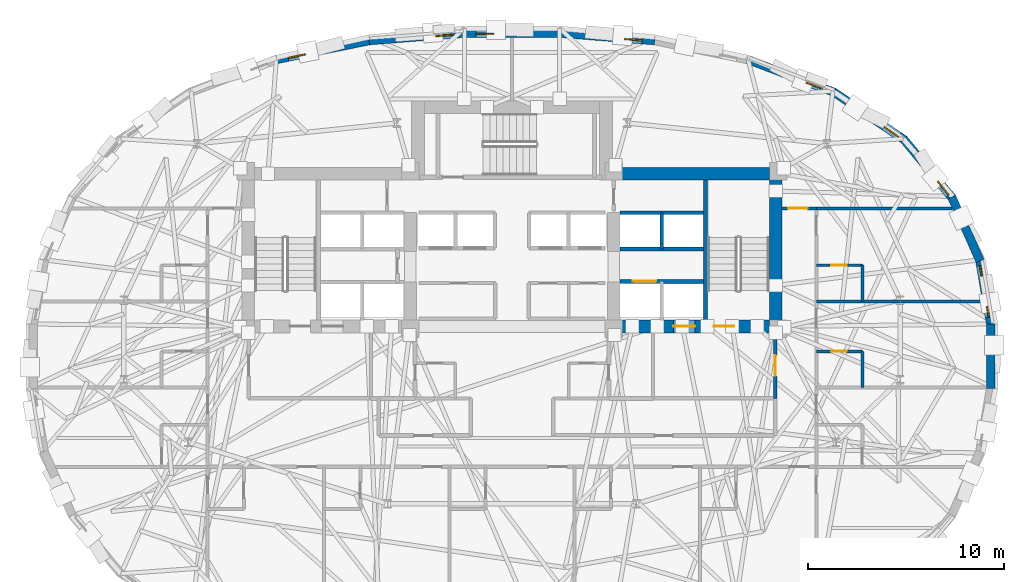
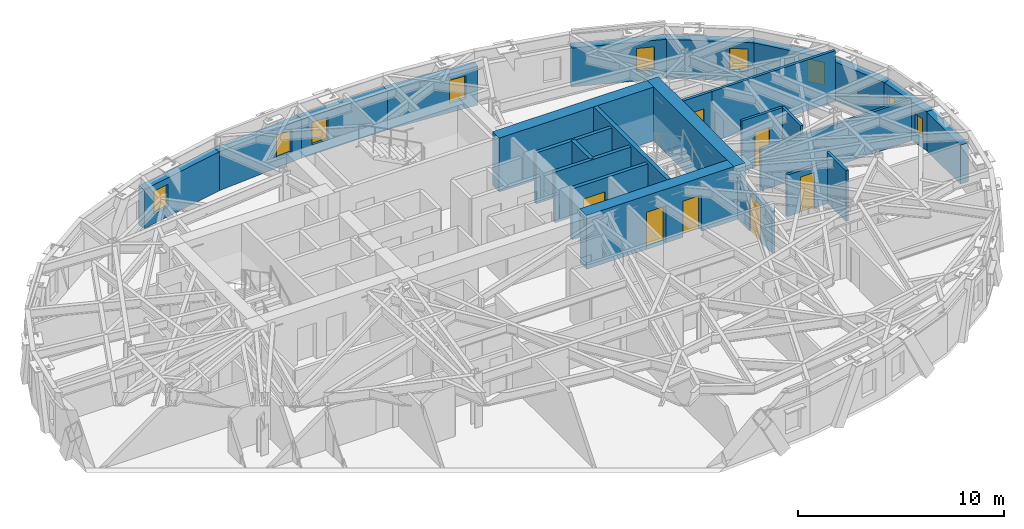
# One storey, part 10 of 15: 26 walls, 9 windows, 7 doors, 16 openings.
"""IFC4 building model written with IfcOpenShell, lengths in metres."""

from ifc_helpers import new_model, si_unit, direction, frame, frame_2d, origin, place, context, subcontext, project, spatial, rectangle, extrude, material, layer, layer_set, type_object, element, fill, save


model = new_model("IFC4")

# Units and contexts
model_context = context("Model", 3, precision=1e-05, world=origin(), true_north=direction((0.0, 1.0)))
body_context = subcontext(model_context, "Body", "Model", "MODEL_VIEW")
ifc_project = project(units=[si_unit("LENGTHUNIT", "METRE"), si_unit("AREAUNIT", "SQUARE_METRE"), si_unit("VOLUMEUNIT", "CUBIC_METRE"), si_unit("PLANEANGLEUNIT", "RADIAN"), si_unit("MASSUNIT", "GRAM", prefix="KILO")], contexts=[model_context])

# Site, building, storey
site_placement = place(None, origin())
site = spatial("IfcSite", under=ifc_project, at=site_placement, CompositionType="ELEMENT")
building_placement = place(site_placement, origin())
building = spatial("IfcBuilding", under=site, at=building_placement, Name="Keldmark Tower", CompositionType="ELEMENT")
storey_placement = place(building_placement, frame((0.0, 0.0, 150.199951171875)))
storey = spatial("IfcBuildingStorey", under=building, at=storey_placement, Name="L40", CompositionType="ELEMENT", Elevation=150.199951171875)

# Wall, opening, door
ifc_material_1 = material(Name="Type X Fire-Rated Gypsum Partition Assembly", Category="gypsum")
ifc_layer_1 = layer(ifc_material_1, 0.1650390625)
ifc_layer_set_1 = layer_set([ifc_layer_1], Name="Type X Fire-Rated Gypsum Partition Assembly")
wall_type_1 = type_object("IfcWallType", Name="Rated Partition 165 mm", PredefinedType="PARTITIONING", material=ifc_layer_set_1)
wall_1_placement = place(storey_placement, frame((13.449951171875, -2.14990234375, 0.0), z_axis=(0.0, 0.0, 1.0), x_axis=(0.0, 1.0, 0.0)))
wall_1 = element("IfcWall", 1, at=wall_1_placement, inside=storey, type_object=wall_type_1, Name="L40 Rated Partition 165 mm FSAE-E-E", PredefinedType="PARTITIONING", context=body_context, shape_type="SweptSolid", body=[
    extrude(rectangle(XDim=3.39990234375, YDim=0.1650390625, at=frame_2d((1.699951171875, 0.0))), origin(), (0.0, 0.0, 1.0), 2.47314453125),
])
opening_1_placement = place(wall_1_placement, frame((1.14990234375, 0.0, 0.0)))
opening_1 = element("IfcOpeningElement", 2, at=opening_1_placement, cuts=wall_1, Name="Opening D-FL105", PredefinedType="OPENING", context=body_context, shape_type="SweptSolid", body=[
    extrude(rectangle(XDim=1.050048828125, YDim=2.14990234375, at=frame_2d((0.52490234375, 1.074951171875))), frame((0.0, 0.092529296875, 0.0), z_axis=(0.0, -1.0, 0.0), x_axis=(1.0, 0.0, 0.0)), (0.0, 0.0, 1.0), 0.18505859375),
])
ifc_material_2 = material(Name="Fire-Rated Mineral-Core Door and Vision Lite", Category="metal")
door_type_1 = type_object("IfcDoorType", Name="Fire Lobby Door 1050x2150", OperationType="NOTDEFINED", PredefinedType="DOOR", material=ifc_material_2)
door_1_placement = place(opening_1_placement, origin())
door_1 = element("IfcDoor", 3, at=door_1_placement, inside=storey, type_object=door_type_1, Name="L40 Fire Lobby Door 1050x2150 D-FSAEE-OUT-L40", OperationType="SINGLE_SWING_LEFT", OverallHeight=2.14990234375, OverallWidth=1.050048828125, PredefinedType="DOOR", context=body_context, shape_type="SweptSolid", body=[
    extrude(rectangle(XDim=1.050048828125, YDim=2.14990234375, at=frame_2d((0.52490234375, 1.074951171875))), frame((0.0, 0.02490234375, 0.0), z_axis=(0.0, -1.0, 0.0), x_axis=(1.0, 0.0, 0.0)), (0.0, 0.0, 1.0), 0.050048828125),
])
fill(opening_1, door_1)

wall_2_placement = place(storey_placement, frame((13.800048828125, 7.550048828125, 0.0), z_axis=(0.0, 0.0, 1.0), x_axis=(1.0, 0.0, 0.0)))
wall_2 = element("IfcWall", 4, at=wall_2_placement, inside=storey, type_object=wall_type_1, Name="L40 Rated Partition 165 mm HCOR-EN", PredefinedType="PARTITIONING", context=body_context, shape_type="SweptSolid", body=[
    extrude(rectangle(XDim=1.75, YDim=0.1650390625, at=frame_2d((0.875, 0.0))), origin(), (0.0, 0.0, 1.0), 3.02001953125),
])
opening_2_placement = place(wall_2_placement, frame((0.300048828125, 0.0, 0.0)))
opening_2 = element("IfcOpeningElement", 5, at=opening_2_placement, cuts=wall_2, Name="Opening D-FD100", PredefinedType="OPENING", context=body_context, shape_type="SweptSolid", body=[
    extrude(rectangle(XDim=1.0, YDim=2.14990234375, at=frame_2d((0.5, 1.074951171875))), frame((0.0, 0.092529296875, 0.0), z_axis=(0.0, -1.0, 0.0), x_axis=(1.0, 0.0, 0.0)), (0.0, 0.0, 1.0), 0.18505859375),
])
ifc_material_3 = material(Name="Hollow Metal Fire-Rated Corridor Door", Category="metal")
door_type_2 = type_object("IfcDoorType", Name="Fire Door 1000x2150", OperationType="NOTDEFINED", PredefinedType="DOOR", material=ifc_material_3)
door_2_placement = place(opening_2_placement, origin())
door_2 = element("IfcDoor", 6, at=door_2_placement, inside=storey, type_object=door_type_2, Name="L40 Fire Door 1000x2150 D-HNNE-L40", OperationType="SINGLE_SWING_RIGHT", OverallHeight=2.14990234375, OverallWidth=1.0, PredefinedType="DOOR", context=body_context, shape_type="SweptSolid", body=[
    extrude(rectangle(XDim=1.0, YDim=2.14990234375, at=frame_2d((0.5, 1.074951171875))), frame((0.0, 0.02490234375, 0.0), z_axis=(0.0, -1.0, 0.0), x_axis=(1.0, 0.0, 0.0)), (0.0, 0.0, 1.0), 0.050048828125),
])
fill(opening_2, door_2)

ifc_material_4 = material(Name="Fire-Resistant Type X Gypsum Shaftliner Coreboard", Category="gypsum")
ifc_layer_2 = layer(ifc_material_4, 0.199951171875)
ifc_layer_set_2 = layer_set([ifc_layer_2], Name="Fire-Resistant Type X Gypsum Shaftliner Coreboard")
wall_type_2 = type_object("IfcWallType", Name="Shaft Wall 200 mm", PredefinedType="SOLIDWALL", material=ifc_layer_set_2)
wall_3_placement = place(storey_placement, frame((5.52490234375, 3.820068359375, 0.0), z_axis=(0.0, 0.0, 1.0), x_axis=(1.0, 0.0, 0.0)))
wall_3 = element("IfcWall", 7, at=wall_3_placement, inside=storey, type_object=wall_type_2, Name="L40 Shaft Wall 200 mm HW-E-S", PredefinedType="SOLIDWALL", context=body_context, shape_type="SweptSolid", body=[
    extrude(rectangle(XDim=4.255126953125, YDim=0.199951171875, at=frame_2d((2.12744140625, 0.0))), origin(), (0.0, 0.0, 1.0), 3.02001953125),
])
opening_3_placement = place(wall_3_placement, frame((0.64990234375, 0.0, 0.0)))
opening_3 = element("IfcOpeningElement", 8, at=opening_3_placement, cuts=wall_3, Name="Opening LD-120", PredefinedType="OPENING", context=body_context, shape_type="SweptSolid", body=[
    extrude(rectangle(XDim=1.199951171875, YDim=2.199951171875, at=frame_2d((0.60009765625, 1.10009765625))), frame((0.0, 0.10986328125, 0.0), z_axis=(0.0, -1.0, 0.0), x_axis=(1.0, 0.0, 0.0)), (0.0, 0.0, 1.0), 0.219970703125),
])
ifc_material_5 = material(Name="Heavy-Duty Brushed Metal Hoistway Sliding Leaf", Category="metal")
door_type_3 = type_object("IfcDoorType", Name="Service Lift Sliding Door 1200x2200", OperationType="SLIDING_TO_RIGHT", PredefinedType="DOOR", material=ifc_material_5)
door_3_placement = place(opening_3_placement, origin())
door_3 = element("IfcDoor", 9, at=door_3_placement, inside=storey, type_object=door_type_3, Name="L40 Service Lift Sliding Door 1200x2200 LD-EL-SV1-L40", OperationType="SLIDING_TO_RIGHT", OverallHeight=2.199951171875, OverallWidth=1.199951171875, PredefinedType="DOOR", context=body_context, shape_type="SweptSolid", body=[
    extrude(rectangle(XDim=1.199951171875, YDim=2.199951171875, at=frame_2d((0.60009765625, 1.10009765625))), frame((0.0, 0.02490234375, 0.0), z_axis=(0.0, -1.0, 0.0), x_axis=(1.0, 0.0, 0.0)), (0.0, 0.0, 1.0), 0.050048828125),
])
fill(opening_3, door_3)

# Walls
for number, where, z_axis, x_axis, name in (
    (10, (5.52490234375, 5.469970703125, 0.0), (0.0, 0.0, 1.0), (1.0, 0.0, 0.0), "L40 Shaft Wall 200 mm HW-E-N"),
    (11, (5.52490234375, 7.330078125, 0.0), (0.0, 0.0, 1.0), (1.0, 0.0, 0.0), "L40 Shaft Wall 200 mm HW-E-TOP"),
):
    element("IfcWall", number, at=place(storey_placement, frame(where, z_axis=z_axis, x_axis=x_axis)), inside=storey, type_object=wall_type_2, Name=name, PredefinedType="SOLIDWALL", context=body_context, shape_type="SweptSolid", body=[
        extrude(rectangle(XDim=4.255126953125, YDim=0.199951171875, at=frame_2d((2.12744140625, 0.0))), origin(), (0.0, 0.0, 1.0), 3.02001953125),
    ])
wall_4_placement = place(storey_placement, frame((7.64990234375, 5.469970703125, 0.0), z_axis=(0.0, 0.0, 1.0), x_axis=(0.0, 1.0, 0.0)))
element("IfcWall", 12, at=wall_4_placement, inside=storey, type_object=wall_type_2, Name="L40 Shaft Wall 200 mm HW-E-NM", PredefinedType="SOLIDWALL", context=body_context, shape_type="SweptSolid", body=[
    extrude(rectangle(XDim=1.860107421875, YDim=0.199951171875, at=frame_2d((0.93017578125, 0.0))), origin(), (0.0, 0.0, 1.0), 3.02001953125),
])
ifc_material_6 = material(Name="Concrete C50/60", Category="concrete")
ifc_layer_3 = layer(ifc_material_6, 0.219970703125)
ifc_layer_set_3 = layer_set([ifc_layer_3], Name="Concrete C50/60")
wall_type_3 = type_object("IfcWallType", Name="Stair Core Shear Wall 220 mm", PredefinedType="SHEAR", material=ifc_layer_set_3)
wall_5_placement = place(storey_placement, frame((9.889892578125, 1.85009765625, 0.0), z_axis=(0.0, 0.0, 1.0), x_axis=(0.0, 1.0, 0.0)))
element("IfcWall", 13, at=wall_5_placement, inside=storey, type_object=wall_type_3, Name="L40 East Stair Core Shear Wall", PredefinedType="SHEAR", context=body_context, shape_type="SweptSolid", body=[
    extrude(rectangle(XDim=7.14990234375, YDim=0.219970703125, at=frame_2d((3.574951171875, 0.0))), origin(), (0.0, 0.0, 1.0), 3.199951171875),
])

# Wall, openings, windows
ifc_material_7 = material(Name="Ironspot Manganese Brick and Kasota Buff Limestone Spandrel Assembly", Category="masonry")
ifc_layer_4 = layer(ifc_material_7, 0.43994140625)
ifc_layer_set_4 = layer_set([ifc_layer_4], Name="Ironspot Manganese Brick and Kasota Buff Limestone Spandrel Assembly")
wall_type_4 = type_object("IfcWallType", Name="Tower Brick Pier and Spandrel Wall 440 mm", PredefinedType="STANDARD", material=ifc_layer_set_4)
wall_6_placement = place(storey_placement, frame((23.89501953125, 4.9208984375, 0.0), z_axis=(0.0, 0.0, 1.0), x_axis=(0.168075929829, -0.985774052109, 0.0)))
wall_6 = element("IfcWall", 14, at=wall_6_placement, inside=storey, type_object=wall_type_4, Name="L40 Exterior Brick and Spandrel Wall 01", PredefinedType="STANDARD", context=body_context, shape_type="SweptSolid", body=[
    extrude(rectangle(XDim=3.3583984375, YDim=0.43994140625, at=frame_2d((1.67919921875, 0.0))), origin(), (0.0, 0.0, 1.0), 2.31494140625),
])
opening_4_placement = place(wall_6_placement, frame((2.411376953125, 0.0, 0.580078125)))
opening_4 = element("IfcOpeningElement", 15, at=opening_4_placement, cuts=wall_6, Name="Opening W-10", PredefinedType="OPENING", context=body_context, shape_type="SweptSolid", body=[
    extrude(rectangle(XDim=0.56005859375, YDim=1.14990234375, at=frame_2d((0.280029296875, 0.574951171875))), frame((0.0, 0.22998046875, 0.0), z_axis=(0.0, -1.0, 0.0), x_axis=(1.0, 0.0, 0.0)), (0.0, 0.0, 1.0), 0.4599609375),
])
opening_5_placement = place(wall_6_placement, frame((0.2880859375, 0.0, 0.580078125)))
opening_5 = element("IfcOpeningElement", 16, at=opening_5_placement, cuts=wall_6, Name="Opening W-10", PredefinedType="OPENING", context=body_context, shape_type="SweptSolid", body=[
    extrude(rectangle(XDim=0.56005859375, YDim=1.14990234375, at=frame_2d((0.280029296875, 0.574951171875))), frame((0.0, 0.22998046875, 0.0), z_axis=(0.0, -1.0, 0.0), x_axis=(1.0, 0.0, 0.0)), (0.0, 0.0, 1.0), 0.4599609375),
])
ifc_material_8 = material(Name="Thermally Broken Anodized Aluminum and Triple Low-E Argon Glazing", Category="aluminium")
window_type_1 = type_object("IfcWindowType", Name="Narrow Pier Lancet Window 560x1150", PartitioningType="SINGLE_PANEL", PredefinedType="WINDOW", material=ifc_material_8)
window_1_placement = place(opening_4_placement, origin())
window_1 = element("IfcWindow", 17, at=window_1_placement, inside=storey, type_object=window_type_1, Name="L40 Pier Window RM05", OverallHeight=1.14990234375, OverallWidth=0.56005859375, PartitioningType="SINGLE_PANEL", PredefinedType="WINDOW", context=body_context, shape_type="SweptSolid", body=[
    extrude(rectangle(XDim=0.56005859375, YDim=1.14990234375, at=frame_2d((0.280029296875, 0.574951171875))), frame((0.0, -0.010009765625, 0.0), z_axis=(0.0, -1.0, 0.0), x_axis=(1.0, 0.0, 0.0)), (0.0, 0.0, 1.0), 0.06005859375),
])
fill(opening_4, window_1)
window_2_placement = place(opening_5_placement, origin())
window_2 = element("IfcWindow", 18, at=window_2_placement, inside=storey, type_object=window_type_1, Name="L40 Pier Window RM06", OverallHeight=1.14990234375, OverallWidth=0.56005859375, PartitioningType="SINGLE_PANEL", PredefinedType="WINDOW", context=body_context, shape_type="SweptSolid", body=[
    extrude(rectangle(XDim=0.56005859375, YDim=1.14990234375, at=frame_2d((0.280029296875, 0.574951171875))), frame((0.0, -0.010009765625, 0.0), z_axis=(0.0, -1.0, 0.0), x_axis=(1.0, 0.0, 0.0)), (0.0, 0.0, 1.0), 0.06005859375),
])
fill(opening_5, window_2)

# Wall
wall_7_placement = place(storey_placement, frame((22.47216796875, 8.1259765625, 0.0), z_axis=(0.0, 0.0, 1.0), x_axis=(0.403999745193, -0.914759097186, 0.0)))
element("IfcWall", 19, at=wall_7_placement, inside=storey, type_object=wall_type_4, Name="L40 Exterior Brick and Spandrel Wall 02", PredefinedType="STANDARD", context=body_context, shape_type="SweptSolid", body=[
    extrude(rectangle(XDim=3.560546875, YDim=0.43994140625, at=frame_2d((1.7802734375, 0.0))), origin(), (0.0, 0.0, 1.0), 2.31494140625),
])

# Wall, opening, window
wall_8_placement = place(storey_placement, frame((20.013916015625, 11.087646484375, 0.0), z_axis=(0.0, 0.0, 1.0), x_axis=(0.637002505989, -0.77086173038, 0.0)))
wall_8 = element("IfcWall", 20, at=wall_8_placement, inside=storey, type_object=wall_type_4, Name="L40 Exterior Brick and Spandrel Wall 03", PredefinedType="STANDARD", context=body_context, shape_type="SweptSolid", body=[
    extrude(rectangle(XDim=3.908447265625, YDim=0.43994140625, at=frame_2d((1.9541015625, 0.0))), origin(), (0.0, 0.0, 1.0), 2.31494140625),
])
opening_6_placement = place(wall_8_placement, frame((2.759521484375, 0.0, 0.580078125)))
opening_6 = element("IfcOpeningElement", 21, at=opening_6_placement, cuts=wall_8, Name="Opening W-09", PredefinedType="OPENING", context=body_context, shape_type="SweptSolid", body=[
    extrude(rectangle(XDim=0.89990234375, YDim=1.35009765625, at=frame_2d((0.449951171875, 0.675048828125))), frame((0.0, 0.22998046875, 0.0), z_axis=(0.0, -1.0, 0.0), x_axis=(1.0, 0.0, 0.0)), (0.0, 0.0, 1.0), 0.4599609375),
])
ifc_material_9 = material(Name="Thermally Broken Anodized Aluminum and Triple Low-E Argon Glazing", Category="aluminium")
window_type_2 = type_object("IfcWindowType", Name="Corner Pier Deep-Set Window 900x1350", PartitioningType="SINGLE_PANEL", PredefinedType="WINDOW", material=ifc_material_9)
window_3_placement = place(opening_6_placement, origin())
window_3 = element("IfcWindow", 22, at=window_3_placement, inside=storey, type_object=window_type_2, Name="L40 Deep-Set Window 03", OverallHeight=1.35009765625, OverallWidth=0.89990234375, PartitioningType="SINGLE_PANEL", PredefinedType="WINDOW", context=body_context, shape_type="SweptSolid", body=[
    extrude(rectangle(XDim=0.89990234375, YDim=1.35009765625, at=frame_2d((0.449951171875, 0.675048828125))), frame((0.0, -0.010009765625, 0.0), z_axis=(0.0, -1.0, 0.0), x_axis=(1.0, 0.0, 0.0)), (0.0, 0.0, 1.0), 0.06005859375),
])
fill(opening_6, window_3)

wall_9_placement = place(storey_placement, frame((16.440673828125, 13.498779296875, 0.0), z_axis=(0.0, 0.0, 1.0), x_axis=(0.827782339513, -0.561049372507, 0.0)))
wall_9 = element("IfcWall", 23, at=wall_9_placement, inside=storey, type_object=wall_type_4, Name="L40 Exterior Brick and Spandrel Wall 04", PredefinedType="STANDARD", context=body_context, shape_type="SweptSolid", body=[
    extrude(rectangle(XDim=4.372314453125, YDim=0.43994140625, at=frame_2d((2.18603515625, 0.0))), origin(), (0.0, 0.0, 1.0), 2.31494140625),
])
opening_7_placement = place(wall_9_placement, frame((3.123779296875, 0.0, 0.580078125)))
opening_7 = element("IfcOpeningElement", 24, at=opening_7_placement, cuts=wall_9, Name="Opening W-09", PredefinedType="OPENING", context=body_context, shape_type="SweptSolid", body=[
    extrude(rectangle(XDim=0.89990234375, YDim=1.35009765625, at=frame_2d((0.449951171875, 0.675048828125))), frame((0.0, 0.22998046875, 0.0), z_axis=(0.0, -1.0, 0.0), x_axis=(1.0, 0.0, 0.0)), (0.0, 0.0, 1.0), 0.4599609375),
])
window_4_placement = place(opening_7_placement, origin())
window_4 = element("IfcWindow", 25, at=window_4_placement, inside=storey, type_object=window_type_2, Name="L40 Deep-Set Window 04", OverallHeight=1.35009765625, OverallWidth=0.89990234375, PartitioningType="SINGLE_PANEL", PredefinedType="WINDOW", context=body_context, shape_type="SweptSolid", body=[
    extrude(rectangle(XDim=0.89990234375, YDim=1.35009765625, at=frame_2d((0.449951171875, 0.675048828125))), frame((0.0, -0.010009765625, 0.0), z_axis=(0.0, -1.0, 0.0), x_axis=(1.0, 0.0, 0.0)), (0.0, 0.0, 1.0), 0.06005859375),
])
fill(opening_7, window_4)

wall_10_placement = place(storey_placement, frame((12.041015625, 15.1630859375, 0.0), z_axis=(0.0, 0.0, 1.0), x_axis=(0.93488004884, -0.354963792916, 0.0)))
wall_10 = element("IfcWall", 26, at=wall_10_placement, inside=storey, type_object=wall_type_4, Name="L40 Exterior Brick and Spandrel Wall 05", PredefinedType="STANDARD", context=body_context, shape_type="SweptSolid", body=[
    extrude(rectangle(XDim=4.754638671875, YDim=0.43994140625, at=frame_2d((2.37744140625, 0.0))), origin(), (0.0, 0.0, 1.0), 2.31494140625),
])
opening_8_placement = place(wall_10_placement, frame((3.21044921875, 0.0, 0.580078125)))
opening_8 = element("IfcOpeningElement", 27, at=opening_8_placement, cuts=wall_10, Name="Opening W-09", PredefinedType="OPENING", context=body_context, shape_type="SweptSolid", body=[
    extrude(rectangle(XDim=0.89990234375, YDim=1.35009765625, at=frame_2d((0.449951171875, 0.675048828125))), frame((0.0, 0.22998046875, 0.0), z_axis=(0.0, -1.0, 0.0), x_axis=(1.0, 0.0, 0.0)), (0.0, 0.0, 1.0), 0.4599609375),
])
window_5_placement = place(opening_8_placement, origin())
window_5 = element("IfcWindow", 28, at=window_5_placement, inside=storey, type_object=window_type_2, Name="L40 Deep-Set Window 05", OverallHeight=1.35009765625, OverallWidth=0.89990234375, PartitioningType="SINGLE_PANEL", PredefinedType="WINDOW", context=body_context, shape_type="SweptSolid", body=[
    extrude(rectangle(XDim=0.89990234375, YDim=1.35009765625, at=frame_2d((0.449951171875, 0.675048828125))), frame((0.0, -0.010009765625, 0.0), z_axis=(0.0, -1.0, 0.0), x_axis=(1.0, 0.0, 0.0)), (0.0, 0.0, 1.0), 0.06005859375),
])
fill(opening_8, window_5)

wall_11_placement = place(storey_placement, frame((2.4130859375, 16.507080078125, 0.0), z_axis=(0.0, 0.0, 1.0), x_axis=(0.996946218403, -0.078091213409, 0.0)))
wall_11 = element("IfcWall", 29, at=wall_11_placement, inside=storey, type_object=wall_type_4, Name="L40 Exterior Brick and Spandrel Wall 07", PredefinedType="STANDARD", context=body_context, shape_type="SweptSolid", body=[
    extrude(rectangle(XDim=4.89892578125, YDim=0.43994140625, at=frame_2d((2.449462890625, 0.0))), origin(), (0.0, 0.0, 1.0), 2.31494140625),
])
opening_9_placement = place(wall_11_placement, frame((3.34912109375, 0.0, 0.580078125)))
opening_9 = element("IfcOpeningElement", 30, at=opening_9_placement, cuts=wall_11, Name="Opening W-09", PredefinedType="OPENING", context=body_context, shape_type="SweptSolid", body=[
    extrude(rectangle(XDim=0.89990234375, YDim=1.35009765625, at=frame_2d((0.449951171875, 0.675048828125))), frame((0.0, 0.22998046875, 0.0), z_axis=(0.0, -1.0, 0.0), x_axis=(1.0, 0.0, 0.0)), (0.0, 0.0, 1.0), 0.4599609375),
])
window_6_placement = place(opening_9_placement, origin())
window_6 = element("IfcWindow", 31, at=window_6_placement, inside=storey, type_object=window_type_2, Name="L40 Deep-Set Window 07", OverallHeight=1.35009765625, OverallWidth=0.89990234375, PartitioningType="SINGLE_PANEL", PredefinedType="WINDOW", context=body_context, shape_type="SweptSolid", body=[
    extrude(rectangle(XDim=0.89990234375, YDim=1.35009765625, at=frame_2d((0.449951171875, 0.675048828125))), frame((0.0, -0.010009765625, 0.0), z_axis=(0.0, -1.0, 0.0), x_axis=(1.0, 0.0, 0.0)), (0.0, 0.0, 1.0), 0.06005859375),
])
fill(opening_9, window_6)

wall_12_placement = place(storey_placement, frame((-2.430419921875, 16.506591796875, 0.0), z_axis=(0.0, 0.0, 1.0), x_axis=(1.0, 0.0, 0.0)))
wall_12 = element("IfcWall", 32, at=wall_12_placement, inside=storey, type_object=wall_type_4, Name="L40 Exterior Brick and Spandrel Wall 08", PredefinedType="STANDARD", context=body_context, shape_type="SweptSolid", body=[
    extrude(rectangle(XDim=4.86083984375, YDim=0.43994140625, at=frame_2d((2.430419921875, 0.0))), origin(), (0.0, 0.0, 1.0), 2.31494140625),
])
opening_10_placement = place(wall_12_placement, frame((0.595703125, 0.0, 0.580078125)))
opening_10 = element("IfcOpeningElement", 33, at=opening_10_placement, cuts=wall_12, Name="Opening W-09", PredefinedType="OPENING", context=body_context, shape_type="SweptSolid", body=[
    extrude(rectangle(XDim=0.89990234375, YDim=1.35009765625, at=frame_2d((0.449951171875, 0.675048828125))), frame((0.0, 0.22998046875, 0.0), z_axis=(0.0, -1.0, 0.0), x_axis=(1.0, 0.0, 0.0)), (0.0, 0.0, 1.0), 0.4599609375),
])
window_7_placement = place(opening_10_placement, origin())
window_7 = element("IfcWindow", 34, at=window_7_placement, inside=storey, type_object=window_type_2, Name="L40 Deep-Set Window 08", OverallHeight=1.35009765625, OverallWidth=0.89990234375, PartitioningType="SINGLE_PANEL", PredefinedType="WINDOW", context=body_context, shape_type="SweptSolid", body=[
    extrude(rectangle(XDim=0.89990234375, YDim=1.35009765625, at=frame_2d((0.449951171875, 0.675048828125))), frame((0.0, -0.010009765625, 0.0), z_axis=(0.0, -1.0, 0.0), x_axis=(1.0, 0.0, 0.0)), (0.0, 0.0, 1.0), 0.06005859375),
])
fill(opening_10, window_7)

wall_13_placement = place(storey_placement, frame((-7.297119140625, 16.12451171875, 0.0), z_axis=(0.0, 0.0, 1.0), x_axis=(0.996946218403, 0.078091213409, 0.0)))
wall_13 = element("IfcWall", 35, at=wall_13_placement, inside=storey, type_object=wall_type_4, Name="L40 Exterior Brick and Spandrel Wall 09", PredefinedType="STANDARD", context=body_context, shape_type="SweptSolid", body=[
    extrude(rectangle(XDim=4.89892578125, YDim=0.43994140625, at=frame_2d((2.449462890625, 0.0))), origin(), (0.0, 0.0, 1.0), 2.31494140625),
])
opening_11_placement = place(wall_13_placement, frame((3.39892578125, 0.0, 0.580078125)))
opening_11 = element("IfcOpeningElement", 36, at=opening_11_placement, cuts=wall_13, Name="Opening W-09", PredefinedType="OPENING", context=body_context, shape_type="SweptSolid", body=[
    extrude(rectangle(XDim=0.89990234375, YDim=1.35009765625, at=frame_2d((0.449951171875, 0.675048828125))), frame((0.0, 0.22998046875, 0.0), z_axis=(0.0, -1.0, 0.0), x_axis=(1.0, 0.0, 0.0)), (0.0, 0.0, 1.0), 0.4599609375),
])
window_8_placement = place(opening_11_placement, origin())
window_8 = element("IfcWindow", 37, at=window_8_placement, inside=storey, type_object=window_type_2, Name="L40 Deep-Set Window 09", OverallHeight=1.35009765625, OverallWidth=0.89990234375, PartitioningType="SINGLE_PANEL", PredefinedType="WINDOW", context=body_context, shape_type="SweptSolid", body=[
    extrude(rectangle(XDim=0.89990234375, YDim=1.35009765625, at=frame_2d((0.449951171875, 0.675048828125))), frame((0.0, -0.010009765625, 0.0), z_axis=(0.0, -1.0, 0.0), x_axis=(1.0, 0.0, 0.0)), (0.0, 0.0, 1.0), 0.06005859375),
])
fill(opening_11, window_8)

wall_14_placement = place(storey_placement, frame((-12.0751953125, 15.1533203125, 0.0), z_axis=(0.0, 0.0, 1.0), x_axis=(0.980021305588, 0.198892535291, 0.0)))
wall_14 = element("IfcWall", 38, at=wall_14_placement, inside=storey, type_object=wall_type_4, Name="L40 Exterior Brick and Spandrel Wall 10", PredefinedType="STANDARD", context=body_context, shape_type="SweptSolid", body=[
    extrude(rectangle(XDim=4.902587890625, YDim=0.43994140625, at=frame_2d((2.451171875, 0.0))), origin(), (0.0, 0.0, 1.0), 2.31494140625),
])
opening_12_placement = place(wall_14_placement, frame((0.644287109375, 0.0, 0.580078125)))
opening_12 = element("IfcOpeningElement", 39, at=opening_12_placement, cuts=wall_14, Name="Opening W-09", PredefinedType="OPENING", context=body_context, shape_type="SweptSolid", body=[
    extrude(rectangle(XDim=0.89990234375, YDim=1.35009765625, at=frame_2d((0.449951171875, 0.675048828125))), frame((0.0, 0.22998046875, 0.0), z_axis=(0.0, -1.0, 0.0), x_axis=(1.0, 0.0, 0.0)), (0.0, 0.0, 1.0), 0.4599609375),
])
window_9_placement = place(opening_12_placement, origin())
window_9 = element("IfcWindow", 40, at=window_9_placement, inside=storey, type_object=window_type_2, Name="L40 Deep-Set Window 10", OverallHeight=1.35009765625, OverallWidth=0.89990234375, PartitioningType="SINGLE_PANEL", PredefinedType="WINDOW", context=body_context, shape_type="SweptSolid", body=[
    extrude(rectangle(XDim=0.89990234375, YDim=1.35009765625, at=frame_2d((0.449951171875, 0.675048828125))), frame((0.0, -0.010009765625, 0.0), z_axis=(0.0, -1.0, 0.0), x_axis=(1.0, 0.0, 0.0)), (0.0, 0.0, 1.0), 0.06005859375),
])
fill(opening_12, window_9)

# Walls
wall_15_placement = place(storey_placement, frame((24.456298828125, 1.6474609375, 0.0), z_axis=(0.0, 0.0, 1.0), x_axis=(0.0, -1.0, 0.0)))
element("IfcWall", 41, at=wall_15_placement, inside=storey, type_object=wall_type_4, Name="L40 Exterior Brick and Spandrel Wall 32", PredefinedType="STANDARD", context=body_context, shape_type="SweptSolid", body=[
    extrude(rectangle(XDim=3.294921875, YDim=0.43994140625, at=frame_2d((1.6474609375, 0.0))), origin(), (0.0, 0.0, 1.0), 2.31494140625),
])
ifc_material_10 = material(Name="Concrete C50/60", Category="concrete")
ifc_layer_5 = layer(ifc_material_10, 0.64990234375)
ifc_layer_set_5 = layer_set([ifc_layer_5], Name="Concrete C50/60")
wall_type_5 = type_object("IfcWallType", Name="Upper-Mid Core Shear Wall 650 mm", PredefinedType="SHEAR", material=ifc_layer_set_5)
wall_16_placement = place(storey_placement, frame((13.47509765625, 1.199951171875, 0.0), z_axis=(0.0, 0.0, 1.0), x_axis=(0.0, 1.0, 0.0)))
element("IfcWall", 42, at=wall_16_placement, inside=storey, type_object=wall_type_5, Name="L40 East Core Outer Shear Wall", PredefinedType="SHEAR", context=body_context, shape_type="SweptSolid", body=[
    extrude(rectangle(XDim=8.449951171875, YDim=0.64990234375, at=frame_2d((4.22509765625, 0.0))), origin(), (0.0, 0.0, 1.0), 3.199951171875),
])
wall_17_placement = place(storey_placement, frame((4.47509765625, 9.324951171875, 0.0), z_axis=(0.0, 0.0, 1.0), x_axis=(1.0, 0.0, 0.0)))
element("IfcWall", 43, at=wall_17_placement, inside=storey, type_object=wall_type_5, Name="L40 East Core North Shear Wall", PredefinedType="SHEAR", context=body_context, shape_type="SweptSolid", body=[
    extrude(rectangle(XDim=9.324951171875, YDim=0.64990234375, at=frame_2d((4.66259765625, 0.0))), origin(), (0.0, 0.0, 1.0), 3.199951171875),
])

# Wall, openings, doors
wall_18_placement = place(storey_placement, frame((13.800048828125, 1.52490234375, 0.0), z_axis=(0.0, 0.0, 1.0), x_axis=(-1.0, 0.0, 0.0)))
wall_18 = element("IfcWall", 44, at=wall_18_placement, inside=storey, type_object=wall_type_5, Name="L40 East Core South Shear Wall", PredefinedType="SHEAR", context=body_context, shape_type="SweptSolid", body=[
    extrude(rectangle(XDim=8.925048828125, YDim=0.64990234375, at=frame_2d((4.46240234375, 0.0))), origin(), (0.0, 0.0, 1.0), 3.199951171875),
])
opening_13_placement = place(wall_18_placement, frame((2.449951171875, 0.0, 0.0)))
opening_13 = element("IfcOpeningElement", 45, at=opening_13_placement, cuts=wall_18, Name="Opening D-ST105", PredefinedType="OPENING", context=body_context, shape_type="SweptSolid", body=[
    extrude(rectangle(XDim=1.050048828125, YDim=2.14990234375, at=frame_2d((0.52490234375, 1.074951171875))), frame((0.0, 0.3349609375, 0.0), z_axis=(0.0, -1.0, 0.0), x_axis=(1.0, 0.0, 0.0)), (0.0, 0.0, 1.0), 0.669921875),
])
opening_14_placement = place(wall_18_placement, frame((4.449951171875, 0.0, 0.0)))
opening_14 = element("IfcOpeningElement", 46, at=opening_14_placement, cuts=wall_18, Name="Opening LD-110", PredefinedType="OPENING", context=body_context, shape_type="SweptSolid", body=[
    extrude(rectangle(XDim=1.10009765625, YDim=2.199951171875, at=frame_2d((0.550048828125, 1.10009765625))), frame((0.0, 0.3349609375, 0.0), z_axis=(0.0, -1.0, 0.0), x_axis=(1.0, 0.0, 0.0)), (0.0, 0.0, 1.0), 0.669921875),
])
ifc_material_11 = material(Name="Brushed Bronze Hoistway Sliding Leaf", Category="metal")
door_type_4 = type_object("IfcDoorType", Name="Lift Landing Sliding Door 1100x2200", OperationType="SLIDING_TO_LEFT", PredefinedType="DOOR", material=ifc_material_11)
door_4_placement = place(opening_14_placement, origin())
door_4 = element("IfcDoor", 47, at=door_4_placement, inside=storey, type_object=door_type_4, Name="L40 Lift Landing Sliding Door 1100x2200 LD-EL-FS2-L40", OperationType="SLIDING_TO_LEFT", OverallHeight=2.199951171875, OverallWidth=1.10009765625, PredefinedType="DOOR", context=body_context, shape_type="SweptSolid", body=[
    extrude(rectangle(XDim=1.10009765625, YDim=2.199951171875, at=frame_2d((0.550048828125, 1.10009765625))), frame((0.0, 0.02490234375, 0.0), z_axis=(0.0, -1.0, 0.0), x_axis=(1.0, 0.0, 0.0)), (0.0, 0.0, 1.0), 0.050048828125),
])
fill(opening_14, door_4)
ifc_material_12 = material(Name="Hollow Metal Fire-Rated Door Assembly", Category="metal")
door_type_5 = type_object("IfcDoorType", Name="Stair Fire Door 1050x2150", OperationType="NOTDEFINED", PredefinedType="DOOR", material=ifc_material_12)
door_5_placement = place(opening_13_placement, origin())
door_5 = element("IfcDoor", 48, at=door_5_placement, inside=storey, type_object=door_type_5, Name="L40 Stair Fire Door 1050x2150 D-ST2-L40", OperationType="SINGLE_SWING_LEFT", OverallHeight=2.14990234375, OverallWidth=1.050048828125, PredefinedType="DOOR", context=body_context, shape_type="SweptSolid", body=[
    extrude(rectangle(XDim=1.050048828125, YDim=2.14990234375, at=frame_2d((0.52490234375, 1.074951171875))), frame((0.0, 0.02490234375, 0.0), z_axis=(0.0, -1.0, 0.0), x_axis=(1.0, 0.0, 0.0)), (0.0, 0.0, 1.0), 0.050048828125),
])
fill(opening_13, door_5)

# Walls
ifc_material_13 = material(Name="Moisture-Resistant Gypsum Plumbing Partition", Category="gypsum")
ifc_layer_6 = layer(ifc_material_13, 0.14990234375)
ifc_layer_set_6 = layer_set([ifc_layer_6], Name="Moisture-Resistant Gypsum Plumbing Partition")
wall_type_6 = type_object("IfcWallType", Name="Wet Wall 150 mm", PredefinedType="PLUMBINGWALL", material=ifc_layer_set_6)
wall_19_placement = place(storey_placement, frame((15.550048828125, 7.550048828125, 0.0), z_axis=(0.0, 0.0, 1.0), x_axis=(1.0, 0.0, 0.0)))
element("IfcWall", 49, at=wall_19_placement, inside=storey, type_object=wall_type_6, Name="L40 Wet Wall 150 mm HE-CAP-N", PredefinedType="PLUMBINGWALL", context=body_context, shape_type="SweptSolid", body=[
    extrude(rectangle(XDim=6.92724609375, YDim=0.14990234375, at=frame_2d((3.463623046875, 0.0))), origin(), (0.0, 0.0, 1.0), 3.02001953125),
])
wall_20_placement = place(storey_placement, frame((15.550048828125, 2.800048828125, 0.0), z_axis=(0.0, 0.0, 1.0), x_axis=(1.0, 0.0, 0.0)))
element("IfcWall", 50, at=wall_20_placement, inside=storey, type_object=wall_type_6, Name="L40 Wet Wall 150 mm HE-DIV-2", PredefinedType="PLUMBINGWALL", context=body_context, shape_type="SweptSolid", body=[
    extrude(rectangle(XDim=8.475341796875, YDim=0.14990234375, at=frame_2d((4.23779296875, 0.0))), origin(), (0.0, 0.0, 1.0), 2.47314453125),
])

# Wall, opening, door
wall_21_placement = place(storey_placement, frame((15.550048828125, 0.25, 0.0), z_axis=(0.0, 0.0, 1.0), x_axis=(1.0, 0.0, 0.0)))
wall_21 = element("IfcWall", 51, at=wall_21_placement, inside=storey, type_object=wall_type_6, Name="L40 Wet Wall 150 mm HB-10-N", PredefinedType="PLUMBINGWALL", context=body_context, shape_type="SweptSolid", body=[
    extrude(rectangle(XDim=2.349853515625, YDim=0.14990234375, at=frame_2d((1.1748046875, 0.0))), origin(), (0.0, 0.0, 1.0), 2.47314453125),
])
opening_15_placement = place(wall_21_placement, frame((0.75, 0.0, 0.0)))
opening_15 = element("IfcOpeningElement", 52, at=opening_15_placement, cuts=wall_21, Name="Opening D-BT080", PredefinedType="OPENING", context=body_context, shape_type="SweptSolid", body=[
    extrude(rectangle(XDim=0.800048828125, YDim=2.10009765625, at=frame_2d((0.39990234375, 1.050048828125))), frame((0.0, 0.0849609375, 0.0), z_axis=(0.0, -1.0, 0.0), x_axis=(1.0, 0.0, 0.0)), (0.0, 0.0, 1.0), 0.169921875),
])
ifc_material_14 = material(Name="Moisture-Sealed Stained Wood", Category="wood")
door_type_6 = type_object("IfcDoorType", Name="Bathroom Door 800x2100", OperationType="NOTDEFINED", PredefinedType="DOOR", material=ifc_material_14)
door_6_placement = place(opening_15_placement, origin())
door_6 = element("IfcDoor", 53, at=door_6_placement, inside=storey, type_object=door_type_6, Name="L40 Bathroom Door 800x2100 D-HB-10-L40", OperationType="SINGLE_SWING_LEFT", OverallHeight=2.10009765625, OverallWidth=0.800048828125, PredefinedType="DOOR", context=body_context, shape_type="SweptSolid", body=[
    extrude(rectangle(XDim=0.800048828125, YDim=2.10009765625, at=frame_2d((0.39990234375, 1.050048828125))), frame((0.0, 0.02490234375, 0.0), z_axis=(0.0, -1.0, 0.0), x_axis=(1.0, 0.0, 0.0)), (0.0, 0.0, 1.0), 0.050048828125),
])
fill(opening_15, door_6)

# Wall
wall_22_placement = place(storey_placement, frame((17.89990234375, -1.60009765625, 0.0), z_axis=(0.0, 0.0, 1.0), x_axis=(0.0, 1.0, 0.0)))
element("IfcWall", 54, at=wall_22_placement, inside=storey, type_object=wall_type_6, Name="L40 Wet Wall 150 mm HB-10-IN", PredefinedType="PLUMBINGWALL", context=body_context, shape_type="SweptSolid", body=[
    extrude(rectangle(XDim=1.85009765625, YDim=0.14990234375, at=frame_2d((0.925048828125, 0.0))), origin(), (0.0, 0.0, 1.0), 3.02001953125),
])

# Wall, opening, door
wall_23_placement = place(storey_placement, frame((15.550048828125, 4.64990234375, 0.0), z_axis=(0.0, 0.0, 1.0), x_axis=(1.0, 0.0, 0.0)))
wall_23 = element("IfcWall", 55, at=wall_23_placement, inside=storey, type_object=wall_type_6, Name="L40 Wet Wall 150 mm HB-11-N", PredefinedType="PLUMBINGWALL", context=body_context, shape_type="SweptSolid", body=[
    extrude(rectangle(XDim=2.349853515625, YDim=0.14990234375, at=frame_2d((1.1748046875, 0.0))), origin(), (0.0, 0.0, 1.0), 3.02001953125),
])
opening_16_placement = place(wall_23_placement, frame((0.75, 0.0, 0.0)))
opening_16 = element("IfcOpeningElement", 56, at=opening_16_placement, cuts=wall_23, Name="Opening D-BT080", PredefinedType="OPENING", context=body_context, shape_type="SweptSolid", body=[
    extrude(rectangle(XDim=0.800048828125, YDim=2.10009765625, at=frame_2d((0.39990234375, 1.050048828125))), frame((0.0, 0.0849609375, 0.0), z_axis=(0.0, -1.0, 0.0), x_axis=(1.0, 0.0, 0.0)), (0.0, 0.0, 1.0), 0.169921875),
])
door_7_placement = place(opening_16_placement, origin())
door_7 = element("IfcDoor", 57, at=door_7_placement, inside=storey, type_object=door_type_6, Name="L40 Bathroom Door 800x2100 D-HB-11-L40", OperationType="SINGLE_SWING_LEFT", OverallHeight=2.10009765625, OverallWidth=0.800048828125, PredefinedType="DOOR", context=body_context, shape_type="SweptSolid", body=[
    extrude(rectangle(XDim=0.800048828125, YDim=2.10009765625, at=frame_2d((0.39990234375, 1.050048828125))), frame((0.0, 0.02490234375, 0.0), z_axis=(0.0, -1.0, 0.0), x_axis=(1.0, 0.0, 0.0)), (0.0, 0.0, 1.0), 0.050048828125),
])
fill(opening_16, door_7)

# Wall
wall_24_placement = place(storey_placement, frame((17.89990234375, 2.800048828125, 0.0), z_axis=(0.0, 0.0, 1.0), x_axis=(0.0, 1.0, 0.0)))
element("IfcWall", 58, at=wall_24_placement, inside=storey, type_object=wall_type_6, Name="L40 Wet Wall 150 mm HB-11-IN", PredefinedType="PLUMBINGWALL", context=body_context, shape_type="SweptSolid", body=[
    extrude(rectangle(XDim=1.849853515625, YDim=0.14990234375, at=frame_2d((0.9248046875, 0.0))), origin(), (0.0, 0.0, 1.0), 3.02001953125),
])

save(model, "model.ifc")
